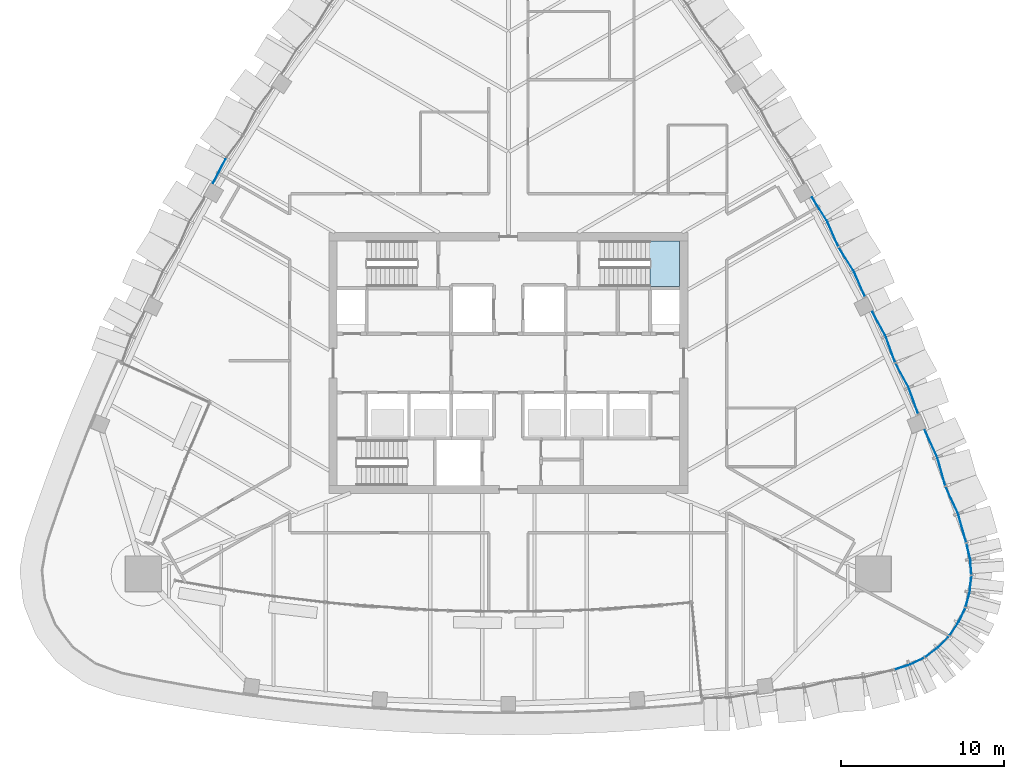
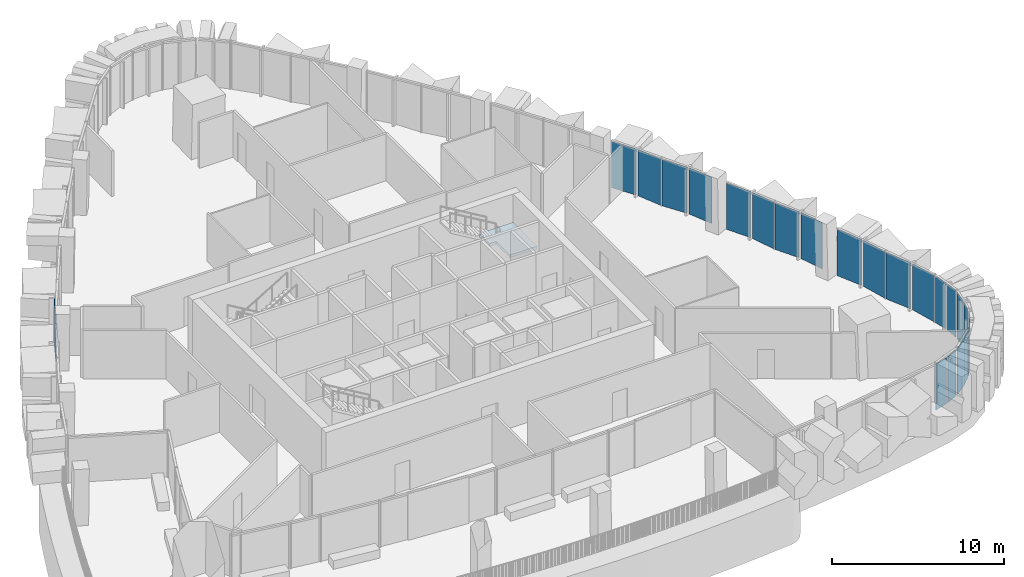
# One storey, part 10 of 22: 23 plates, 1 slab, 10 elements without a shape of their own.
"""IFC4 building model written with IfcOpenShell, lengths in metres."""

import ifcopenshell
import ifcopenshell.guid

model = None  # the IFC model being written
_history = None  # IfcOwnerHistory: only IFC2X3 demands one
_inside = {}  # id of a spatial element -> (the spatial element, [elements in it])
_under = {}  # id of a project, library or spatial element -> (it, [spatial elements below it])
_declared = {}  # id of a project -> (the project, [libraries it declares])
_typed = {}  # id of a type object -> (the type object, [elements of that type])
_made_of = {}  # id of a material, layer set ... -> (it, [elements and type objects made of it])


def new_model(schema):
    """Start an empty IFC model of exactly this schema.

    Asked for "IFC4X3", IfcOpenShell would pick the latest addendum, in which some entities
    have other attributes; the version numbers below select the first issue.
    IFC2X3 requires an IfcOwnerHistory on every rooted entity: one is made here for all.
    """
    global model, _history
    if schema == "IFC4X3":
        model = ifcopenshell.file(schema_version=(4, 3, 0, 0))
    else:
        model = ifcopenshell.file(schema=schema)
    _inside.clear()
    _under.clear()
    _declared.clear()
    _typed.clear()
    _made_of.clear()
    _history = None
    if model.schema == "IFC2X3":
        org = make("IfcOrganization", Name="unknown")
        user = make(
            "IfcPersonAndOrganization",
            ThePerson=make("IfcPerson", FamilyName="unknown"),
            TheOrganization=org,
        )
        app = make(
            "IfcApplication",
            ApplicationDeveloper=org,
            Version="unknown",
            ApplicationFullName="unknown",
            ApplicationIdentifier="unknown",
        )
        _history = make(
            "IfcOwnerHistory",
            OwningUser=user,
            OwningApplication=app,
            ChangeAction="ADDED",
            CreationDate=0,
        )
    return model


def make(cls, **values):
    """One entity of the class cls with the attributes given. An attribute that is None is left unset."""
    return model.create_entity(
        cls, **{name: value for name, value in values.items() if value is not None}
    )


def rooted(cls, **values):
    """An entity with a GlobalId (a new one), such as an element, a storey or a relation."""
    return make(cls, GlobalId=ifcopenshell.guid.new(), OwnerHistory=_history, **values)


def si_unit(unit_type, name, prefix=None):
    """IfcSIUnit, for example si_unit("LENGTHUNIT", "METRE", prefix="MILLI")."""
    return make("IfcSIUnit", UnitType=unit_type, Prefix=prefix, Name=name)


def assignment(units):
    """IfcUnitAssignment: the units of a project."""
    return None if units is None else make("IfcUnitAssignment", Units=units)


def point(xyz):
    """IfcCartesianPoint."""
    return None if xyz is None else make("IfcCartesianPoint", Coordinates=xyz)


def direction(xyz):
    """IfcDirection."""
    return None if xyz is None else make("IfcDirection", DirectionRatios=xyz)


def frame(location, z_axis=None, x_axis=None):
    """IfcAxis2Placement3D, a coordinate frame: its origin and axes. An axis left out is left unset."""
    return make(
        "IfcAxis2Placement3D",
        Location=point(location),
        Axis=direction(z_axis),
        RefDirection=direction(x_axis),
    )


def origin():
    """The frame at (0, 0, 0) with its axes left unset."""
    return frame((0.0, 0.0, 0.0))


def place(relative_to, where):
    """IfcLocalPlacement: puts the frame where relative to a parent placement (None: the world)."""
    return make(
        "IfcLocalPlacement", PlacementRelTo=relative_to, RelativePlacement=where
    )


def context(
    kind, dimensions, precision=None, world=None, true_north=None, identifier=None
):
    """IfcGeometricRepresentationContext, for example the 3D "Model" context."""
    return make(
        "IfcGeometricRepresentationContext",
        ContextIdentifier=identifier,
        ContextType=kind,
        CoordinateSpaceDimension=dimensions,
        Precision=precision,
        WorldCoordinateSystem=world,
        TrueNorth=true_north,
    )


def subcontext(parent, identifier, kind, view, scale=None):
    """IfcGeometricRepresentationSubContext, for example "Body" below "Model"."""
    return make(
        "IfcGeometricRepresentationSubContext",
        ContextIdentifier=identifier,
        ContextType=kind,
        ParentContext=parent,
        TargetScale=scale,
        TargetView=view,
    )


def project(units=None, contexts=None):
    """IfcProject with its units and contexts."""
    return rooted(
        "IfcProject",
        Name="project",
        RepresentationContexts=contexts,
        UnitsInContext=assignment(units),
    )


def spatial(cls, under=None, at=None, **own):
    """A site, building, storey or space (cls), placed at a placement, below another one or the project."""
    s = rooted(cls, ObjectPlacement=at, **own)
    if under is not None:
        _under.setdefault(under.id(), (under, []))[1].append(s)
    return s


def polyline(points):
    """IfcPolyline through the points."""
    return make("IfcPolyline", Points=[point(p) for p in points])


def outline(outer, holes=None, kind="AREA"):
    """IfcArbitraryClosedProfileDef: a profile drawn as a closed curve; with holes, ...WithVoids."""
    if holes is None:
        return make("IfcArbitraryClosedProfileDef", ProfileType=kind, OuterCurve=outer)
    return make(
        "IfcArbitraryProfileDefWithVoids",
        ProfileType=kind,
        OuterCurve=outer,
        InnerCurves=holes,
    )


def extrude(swept, where, along, depth):
    """IfcExtrudedAreaSolid: the profile swept, set in the frame where, extruded along a direction by depth."""
    return make(
        "IfcExtrudedAreaSolid",
        SweptArea=swept,
        Position=where,
        ExtrudedDirection=direction(along),
        Depth=depth,
    )


def shape(context_of_items, identifier, shape_type, items):
    """IfcShapeRepresentation: the items that make up one representation, for example the "Body"."""
    return make(
        "IfcShapeRepresentation",
        ContextOfItems=context_of_items,
        RepresentationIdentifier=identifier,
        RepresentationType=shape_type,
        Items=items,
    )


def material(Name=None, Category=None):
    """IfcMaterial."""
    return make("IfcMaterial", Name=Name, Category=Category)


def layer(
    of_material, thickness, ventilated=None, Name=None, Category=None, Priority=None
):
    """IfcMaterialLayer: one layer of a wall or slab, of a material (None: an air gap)."""
    return make(
        "IfcMaterialLayer",
        Material=of_material,
        LayerThickness=thickness,
        IsVentilated=ventilated,
        Name=Name,
        Category=Category,
        Priority=Priority,
    )


def layer_set(layers, Name=None):
    """IfcMaterialLayerSet."""
    return make("IfcMaterialLayerSet", MaterialLayers=layers, LayerSetName=Name)


def made_of(thing, what):
    """Note that an element or type object is made of a material, layer set ...; save() writes the relation."""
    if what is not None:
        _made_of.setdefault(what.id(), (what, []))[1].append(thing)
    return thing


def type_object(cls, material=None, **own):
    """A type object (cls), such as IfcWallType, which elements share."""
    return made_of(rooted(cls, **own), material)


def element(
    cls,
    number,
    at=None,
    inside=None,
    cuts=None,
    type_object=None,
    material=None,
    context=None,
    identifier="Body",
    shape_type=None,
    held_by="IfcProductDefinitionShape",
    body=None,
    shapes=None,
    **own,
):
    """One element of the class cls, such as IfcWall. Its Tag is "e" and its number.

    at: its placement. inside: the storey or other place that contains it. cuts: it is an
    opening in that element (IfcRelVoidsElement). A single representation is given by context,
    identifier, shape_type and body (its items); several are given by shapes. held_by: the class
    of the entity that holds the representations. save() writes the other relations.
    """
    e = rooted(cls, Tag="e%d" % number, ObjectPlacement=at, **own)
    if body is not None:
        shapes = [shape(context, identifier, shape_type, body)]
    if shapes is not None:
        e.Representation = make(held_by, Representations=shapes)
    if inside is not None:
        _inside.setdefault(inside.id(), (inside, []))[1].append(e)
    if cuts is not None:
        rooted(
            "IfcRelVoidsElement", RelatingBuildingElement=cuts, RelatedOpeningElement=e
        )
    if type_object is not None:
        _typed.setdefault(type_object.id(), (type_object, []))[1].append(e)
    return made_of(e, material)


def aggregate(whole, parts):
    """IfcRelAggregates: a whole, such as a stair, and the parts it consists of."""
    return rooted("IfcRelAggregates", RelatingObject=whole, RelatedObjects=parts)


def save(model, path):
    """Write the relations noted so far, then the file.

    IfcRelAggregates (storeys below a building ...), IfcRelContainedInSpatialStructure (elements
    in a storey), IfcRelDefinesByType, IfcRelAssociatesMaterial and IfcRelDeclares: one each for
    every whole, place, type object, material and project.
    """
    for whole, parts in _under.values():
        aggregate(whole, parts)
    for where, things in _inside.values():
        rooted(
            "IfcRelContainedInSpatialStructure",
            RelatedElements=things,
            RelatingStructure=where,
        )
    for kind, things in _typed.values():
        rooted("IfcRelDefinesByType", RelatedObjects=things, RelatingType=kind)
    for what, things in _made_of.values():
        rooted("IfcRelAssociatesMaterial", RelatedObjects=things, RelatingMaterial=what)
    for by, libraries in _declared.values():
        rooted("IfcRelDeclares", RelatingContext=by, RelatedDefinitions=libraries)
    model.write(path)


model = new_model("IFC4")

# Units and contexts
model_context = context("Model", 3, precision=1e-05, world=origin(), true_north=direction((0.0, 1.0)))
body_context = subcontext(model_context, "Body", "Model", "MODEL_VIEW")
ifc_project = project(units=[si_unit("LENGTHUNIT", "METRE"), si_unit("AREAUNIT", "SQUARE_METRE"), si_unit("VOLUMEUNIT", "CUBIC_METRE"), si_unit("PLANEANGLEUNIT", "RADIAN"), si_unit("MASSUNIT", "GRAM", prefix="KILO")], contexts=[model_context])

# Site, building, storey
site_placement = place(None, origin())
site = spatial("IfcSite", under=ifc_project, at=site_placement, CompositionType="ELEMENT")
building_placement = place(site_placement, origin())
building = spatial("IfcBuilding", under=site, at=building_placement, Name="Sierra Prisma Convention Tower", CompositionType="ELEMENT")
storey_placement = place(building_placement, frame((0.0, 0.0, 227.0)))
storey = spatial("IfcBuildingStorey", under=building, at=storey_placement, Name="L50", CompositionType="ELEMENT", Elevation=227.0)

# Curtain wall, plates
ifc_material_1 = material(Name="Aluminium and glass curtain wall", Category="aluminium")
ifc_layer_1 = layer(ifc_material_1, 0.179931640625)
ifc_layer_set_1 = layer_set([ifc_layer_1], Name="CW-2 Faceted crystal curtain wall")
curtain_wall_type = type_object("IfcCurtainWallType", Name="CW-2 Faceted crystal curtain wall", PredefinedType="NOTDEFINED", material=ifc_layer_set_1)
curtain_wall_1_placement = place(storey_placement, origin())
curtain_wall_1 = element("IfcCurtainWall", 1, at=curtain_wall_1_placement, inside=storey, type_object=curtain_wall_type, Name="CW-2 SE1 L50", PredefinedType="NOTDEFINED")
ifc_material_2 = material(Name="Tinted glass bronze-grey IGU", Category="glass")
ifc_layer_2 = layer(ifc_material_2, 0.028076171875)
ifc_layer_set_2 = layer_set([ifc_layer_2], Name="CW-2 crystal pane")
plate_type = type_object("IfcPlateType", Name="CW-2 crystal pane", PredefinedType="CURTAIN_PANEL", material=ifc_layer_set_2)
plate_1_placement = place(storey_placement, frame((23.68798828125, -18.791748046875, 0.0), z_axis=(0.290185334804, -0.956970465304, 0.0), x_axis=(0.956970465304, 0.290185334804, 0.0)))
plate_1 = element("IfcPlate", 2, at=plate_1_placement, type_object=plate_type, Name="CW-2 pane SE1.1.1", PredefinedType="CURTAIN_PANEL", context=body_context, shape_type="SweptSolid", body=[
    extrude(outline(polyline([(0.0, 0.0), (0.8758209328419331, 0.0), (0.8758209328419331, 3.2800292968749996), (0.0, 3.2800292968749996), (0.0, 0.0)])), origin(), (0.0, 0.0, -1.0), 0.028076171875),
])
plate_2_placement = place(storey_placement, frame((25.434814453125, -18.1083984375, 0.0), z_axis=(0.436252988313, -0.899824055128, 0.0), x_axis=(-0.899824055128, -0.436252988313, 0.0)))
plate_2 = element("IfcPlate", 3, at=plate_2_placement, type_object=plate_type, Name="CW-2 pane SE1.1.2", PredefinedType="CURTAIN_PANEL", context=body_context, shape_type="SweptSolid", body=[
    extrude(outline(polyline([(0.0, 0.0), (0.8758222599279262, 0.0), (0.8758222599279262, -3.280029296875), (0.0, -3.280029296875), (0.0, 0.0)])), origin(), (0.0, 0.0, -1.0), 0.028076171875),
])
aggregate(curtain_wall_1, [plate_1, plate_2])

curtain_wall_2_placement = place(storey_placement, origin())
curtain_wall_2 = element("IfcCurtainWall", 4, at=curtain_wall_2_placement, inside=storey, type_object=curtain_wall_type, Name="CW-2 SE2 L50", PredefinedType="NOTDEFINED")
plate_3_placement = place(storey_placement, frame((25.55322265625, -18.037353515625, 0.0), z_axis=(0.590456850931, -0.807069208426, 0.0), x_axis=(0.807069208426, 0.590456850931, 0.0)))
plate_3 = element("IfcPlate", 5, at=plate_3_placement, type_object=plate_type, Name="CW-2 pane SE2.1.1", PredefinedType="CURTAIN_PANEL", context=body_context, shape_type="SweptSolid", body=[
    extrude(outline(polyline([(0.0, 0.0), (0.8757453536776929, 0.0), (0.8757453536776929, 3.280029296875), (0.0, 3.280029296875), (0.0, 0.0)])), origin(), (0.0, 0.0, -1.0), 0.028076171875),
])
plate_4_placement = place(storey_placement, frame((26.9755859375, -16.814453125, 0.0), z_axis=(0.70947236499, -0.704733256854, 0.0), x_axis=(-0.704733256854, -0.70947236499, 0.0)))
plate_4 = element("IfcPlate", 6, at=plate_4_placement, type_object=plate_type, Name="CW-2 pane SE2.1.2", PredefinedType="CURTAIN_PANEL", context=body_context, shape_type="SweptSolid", body=[
    extrude(outline(polyline([(0.0, 0.0), (0.8757746196839541, 0.0), (0.8757746196839541, -3.280029296875), (0.0, -3.280029296875), (0.0, 0.0)])), origin(), (0.0, 0.0, -1.0), 0.028076171875),
])
aggregate(curtain_wall_2, [plate_3, plate_4])

curtain_wall_3_placement = place(storey_placement, origin())
curtain_wall_3 = element("IfcCurtainWall", 7, at=curtain_wall_3_placement, inside=storey, type_object=curtain_wall_type, Name="CW-2 SE3 L50", PredefinedType="NOTDEFINED")
plate_5_placement = place(storey_placement, frame((27.063720703125, -16.708251953125, 0.0), z_axis=(0.824074459529, -0.56648149586, 0.0), x_axis=(0.56648149586, 0.824074459529, 0.0)))
plate_5 = element("IfcPlate", 8, at=plate_5_placement, type_object=plate_type, Name="CW-2 pane SE3.1.1", PredefinedType="CURTAIN_PANEL", context=body_context, shape_type="SweptSolid", body=[
    extrude(outline(polyline([(0.0, 0.0), (0.8757457280165061, 0.0), (0.8757457280165061, 3.280029296875), (0.0, 3.280029296875), (0.0, 0.0)])), origin(), (0.0, 0.0, -1.0), 0.028076171875),
])
plate_6_placement = place(storey_placement, frame((28.001708984375, -15.083740234375, 0.0), z_axis=(0.902525357642, -0.430636713267, 0.0), x_axis=(-0.430636713267, -0.902525357642, 0.0)))
plate_6 = element("IfcPlate", 9, at=plate_6_placement, type_object=plate_type, Name="CW-2 pane SE3.1.2", PredefinedType="CURTAIN_PANEL", context=body_context, shape_type="SweptSolid", body=[
    extrude(outline(polyline([(0.0, 0.0), (0.8759059643657002, 0.0), (0.8759059643657002, -3.280029296875), (0.0, -3.280029296875), (0.0, 0.0)])), origin(), (0.0, 0.0, -1.0), 0.028076171875),
])
aggregate(curtain_wall_3, [plate_5, plate_6])

curtain_wall_4_placement = place(storey_placement, origin())
curtain_wall_4 = element("IfcCurtainWall", 10, at=curtain_wall_4_placement, inside=storey, type_object=curtain_wall_type, Name="CW-2 SE4 L50", PredefinedType="NOTDEFINED")
plate_7_placement = place(storey_placement, frame((28.049560546875, -14.954345703125, 0.0), z_axis=(0.965059123125, -0.262032228694, 0.0), x_axis=(0.262032228694, 0.965059123125, 0.0)))
plate_7 = element("IfcPlate", 11, at=plate_7_placement, type_object=plate_type, Name="CW-2 pane SE4.1.1", PredefinedType="CURTAIN_PANEL", context=body_context, shape_type="SweptSolid", body=[
    extrude(outline(polyline([(0.0, 0.0), (0.8758166453195967, 0.0), (0.8758166453195967, 3.280029296875), (0.0, 3.280029296875), (0.0, 0.0)])), origin(), (0.0, 0.0, -1.0), 0.028076171875),
])
plate_8_placement = place(storey_placement, frame((28.397216796875, -13.111083984375, 0.0), z_axis=(0.994192545073, -0.107615906449, 0.0), x_axis=(-0.107615906449, -0.994192545073, 0.0)))
plate_8 = element("IfcPlate", 12, at=plate_8_placement, type_object=plate_type, Name="CW-2 pane SE4.1.2", PredefinedType="CURTAIN_PANEL", context=body_context, shape_type="SweptSolid", body=[
    extrude(outline(polyline([(0.0, 0.0), (0.875691004790138, 0.0), (0.875691004790138, -3.280029296875), (0.0, -3.280029296875), (0.0, 0.0)])), origin(), (0.0, 0.0, -1.0), 0.028076171875),
])
aggregate(curtain_wall_4, [plate_7, plate_8])

curtain_wall_5_placement = place(storey_placement, origin())
curtain_wall_5 = element("IfcCurtainWall", 13, at=curtain_wall_5_placement, inside=storey, type_object=curtain_wall_type, Name="CW-2 SE5 L50", PredefinedType="NOTDEFINED")
plate_9_placement = place(storey_placement, frame((28.399658203125, -12.97314453125, 0.0), z_axis=(0.997410361209, 0.071920590607, 0.0), x_axis=(-0.071920590607, 0.997410361209, 0.0)))
plate_9 = element("IfcPlate", 14, at=plate_9_placement, type_object=plate_type, Name="CW-2 pane SE5.1.1", PredefinedType="CURTAIN_PANEL", context=body_context, shape_type="SweptSolid", body=[
    extrude(outline(polyline([(0.0, 0.0), (0.8758031701127492, 0.0), (0.8758031701127492, 3.280029296875), (0.0, 3.280029296875), (0.0, 0.0)])), origin(), (0.0, 0.0, -1.0), 0.028076171875),
])
plate_10_placement = place(storey_placement, frame((28.1181640625, -11.118408203125, 0.0), z_axis=(0.973857654482, 0.227159126618, 0.0), x_axis=(0.227159126618, -0.973857654482, 0.0)))
plate_10 = element("IfcPlate", 15, at=plate_10_placement, type_object=plate_type, Name="CW-2 pane SE5.1.2", PredefinedType="CURTAIN_PANEL", context=body_context, shape_type="SweptSolid", body=[
    extrude(outline(polyline([(0.0, 0.0), (0.875926106678591, 0.0), (0.875926106678591, -3.280029296875), (0.0, -3.280029296875), (0.0, 0.0)])), origin(), (0.0, 0.0, -1.0), 0.028076171875),
])
aggregate(curtain_wall_5, [plate_9, plate_10])

curtain_wall_6_placement = place(storey_placement, origin())
curtain_wall_6 = element("IfcCurtainWall", 16, at=curtain_wall_6_placement, inside=storey, type_object=curtain_wall_type, Name="CW-2 NE1 L50", PredefinedType="NOTDEFINED")
plate_11_placement = place(storey_placement, frame((28.083251953125, -10.983642578125, 0.0), z_axis=(0.962498050311, 0.271288597526, 0.0), x_axis=(-0.271288597526, 0.962498050311, 0.0)))
plate_11 = element("IfcPlate", 17, at=plate_11_placement, type_object=plate_type, Name="CW-2 pane NE1.1.1", PredefinedType="CURTAIN_PANEL", context=body_context, shape_type="SweptSolid", body=[
    extrude(outline(polyline([(0.0, 0.0), (1.757562407610556, 0.0), (1.757562407610556, 3.280029296875001), (0.0, 3.280029296875001), (0.0, 0.0)])), origin(), (0.0, 0.0, -1.0), 0.028076171875),
])
plate_12_placement = place(storey_placement, frame((26.825927734375, -7.57421875, 0.0), z_axis=(0.908199111064, 0.418538378959, 0.0), x_axis=(0.418538378959, -0.908199111064, 0.0)))
plate_12 = element("IfcPlate", 18, at=plate_12_placement, type_object=plate_type, Name="CW-2 pane NE1.1.2", PredefinedType="CURTAIN_PANEL", context=body_context, shape_type="SweptSolid", body=[
    extrude(outline(polyline([(0.0, 0.0), (1.757534649400209, 0.0), (1.757534649400209, -3.280029296875001), (0.0, -3.280029296875001), (0.0, 0.0)])), origin(), (0.0, 0.0, -1.0), 0.028076171875),
])
plate_13_placement = place(storey_placement, frame((26.801513671875, -7.508544921875, 0.0), z_axis=(0.962498050311, 0.271288597526, 0.0), x_axis=(-0.271288597526, 0.962498050311, 0.0)))
plate_13 = element("IfcPlate", 19, at=plate_13_placement, type_object=plate_type, Name="CW-2 pane NE1.2.1", PredefinedType="CURTAIN_PANEL", context=body_context, shape_type="SweptSolid", body=[
    extrude(outline(polyline([(0.0, 0.0), (1.757562407610556, 0.0), (1.757562407610556, 3.280029296875001), (0.0, 3.280029296875001), (0.0, 0.0)])), origin(), (0.0, 0.0, -1.0), 0.028076171875),
])
plate_14_placement = place(storey_placement, frame((25.544189453125, -4.09912109375, 0.0), z_axis=(0.908199111064, 0.418538378959, 0.0), x_axis=(0.418538378959, -0.908199111064, 0.0)))
plate_14 = element("IfcPlate", 20, at=plate_14_placement, type_object=plate_type, Name="CW-2 pane NE1.2.2", PredefinedType="CURTAIN_PANEL", context=body_context, shape_type="SweptSolid", body=[
    extrude(outline(polyline([(0.0, 0.0), (1.757534649400209, 0.0), (1.757534649400209, -3.280029296875001), (0.0, -3.280029296875001), (0.0, 0.0)])), origin(), (0.0, 0.0, -1.0), 0.028076171875),
])
aggregate(curtain_wall_6, [plate_11, plate_12, plate_13, plate_14])

curtain_wall_7_placement = place(storey_placement, origin())
curtain_wall_7 = element("IfcCurtainWall", 21, at=curtain_wall_7_placement, inside=storey, type_object=curtain_wall_type, Name="CW-2 NE2 L50", PredefinedType="NOTDEFINED")
plate_15_placement = place(storey_placement, frame((25.133544921875, -3.0966796875, 0.0), z_axis=(0.941775716965, 0.336241726939, 0.0), x_axis=(-0.336241726939, 0.941775716965, 0.0)))
plate_15 = element("IfcPlate", 22, at=plate_15_placement, type_object=plate_type, Name="CW-2 pane NE2.1.1", PredefinedType="CURTAIN_PANEL", context=body_context, shape_type="SweptSolid", body=[
    extrude(outline(polyline([(0.0, 0.0), (1.633694935040685, 0.0), (1.633694935040685, 3.280029296875), (0.0, 3.280029296875), (0.0, 0.0)])), origin(), (0.0, 0.0, -1.0), 0.028076171875),
])
plate_16_placement = place(storey_placement, frame((23.747802734375, -0.006103515625, 0.0), z_axis=(0.877547009888, 0.479490610374, 0.0), x_axis=(0.479490610374, -0.877547009888, 0.0)))
plate_16 = element("IfcPlate", 23, at=plate_16_placement, type_object=plate_type, Name="CW-2 pane NE2.1.2", PredefinedType="CURTAIN_PANEL", context=body_context, shape_type="SweptSolid", body=[
    extrude(outline(polyline([(0.0, 0.0), (1.6339157611722945, 0.0), (1.6339157611722945, -3.280029296875), (0.0, -3.280029296875), (0.0, 0.0)])), origin(), (0.0, 0.0, -1.0), 0.028076171875),
])
plate_17_placement = place(storey_placement, frame((23.71923828125, 0.0576171875, 0.0), z_axis=(0.941775716965, 0.336241726939, 0.0), x_axis=(-0.336241726939, 0.941775716965, 0.0)))
plate_17 = element("IfcPlate", 24, at=plate_17_placement, type_object=plate_type, Name="CW-2 pane NE2.2.1", PredefinedType="CURTAIN_PANEL", context=body_context, shape_type="SweptSolid", body=[
    extrude(outline(polyline([(0.0, 0.0), (1.633694935040685, 0.0), (1.633694935040685, 3.280029296875), (0.0, 3.280029296875), (0.0, 0.0)])), origin(), (0.0, 0.0, -1.0), 0.028076171875),
])
plate_18_placement = place(storey_placement, frame((22.333740234375, 3.148193359375, 0.0), z_axis=(0.877575533172, 0.479438404362, 0.0), x_axis=(0.479438404362, -0.877575533172, 0.0)))
plate_18 = element("IfcPlate", 25, at=plate_18_placement, type_object=plate_type, Name="CW-2 pane NE2.2.2", PredefinedType="CURTAIN_PANEL", context=body_context, shape_type="SweptSolid", body=[
    extrude(outline(polyline([(0.0, 0.0), (1.6335844560502002, 0.0), (1.6335844560502002, -3.280029296875), (0.0, -3.280029296875), (0.0, 0.0)])), origin(), (0.0, 0.0, -1.0), 0.028076171875),
])
aggregate(curtain_wall_7, [plate_15, plate_16, plate_17, plate_18])

curtain_wall_8_placement = place(storey_placement, origin())
curtain_wall_8 = element("IfcCurtainWall", 26, at=curtain_wall_8_placement, inside=storey, type_object=curtain_wall_type, Name="CW-2 NE3 L50", PredefinedType="NOTDEFINED")
plate_19_placement = place(storey_placement, frame((21.870849609375, 4.09228515625, 0.0), z_axis=(0.916688980641, 0.399601442405, 0.0), x_axis=(-0.399601442405, 0.916688980641, 0.0)))
plate_19 = element("IfcPlate", 27, at=plate_19_placement, type_object=plate_type, Name="CW-2 pane NE3.1.1", PredefinedType="CURTAIN_PANEL", context=body_context, shape_type="SweptSolid", body=[
    extrude(outline(polyline([(0.0, 0.0), (1.6416503790065173, 0.0), (1.6416503790065173, 3.280029296875), (0.0, 3.280029296875), (0.0, 0.0)])), origin(), (0.0, 0.0, -1.0), 0.028076171875),
])
plate_20_placement = place(storey_placement, frame((20.270751953125, 7.095458984375, 0.0), z_axis=(0.842981044495, 0.537943267103, 0.0), x_axis=(0.537943267103, -0.842981044495, 0.0)))
plate_20 = element("IfcPlate", 28, at=plate_20_placement, type_object=plate_type, Name="CW-2 pane NE3.1.2", PredefinedType="CURTAIN_PANEL", context=body_context, shape_type="SweptSolid", body=[
    extrude(outline(polyline([(0.0, 0.0), (1.6415423235623683, 0.0), (1.6415423235623683, -3.280029296875), (0.0, -3.280029296875), (0.0, 0.0)])), origin(), (0.0, 0.0, -1.0), 0.028076171875),
])
plate_21_placement = place(storey_placement, frame((20.23779296875, 7.1572265625, 0.0), z_axis=(0.916688980641, 0.399601442405, 0.0), x_axis=(-0.399601442405, 0.916688980641, 0.0)))
plate_21 = element("IfcPlate", 29, at=plate_21_placement, type_object=plate_type, Name="CW-2 pane NE3.2.1", PredefinedType="CURTAIN_PANEL", context=body_context, shape_type="SweptSolid", body=[
    extrude(outline(polyline([(0.0, 0.0), (1.6416503790065173, 0.0), (1.6416503790065173, 3.280029296875), (0.0, 3.280029296875), (0.0, 0.0)])), origin(), (0.0, 0.0, -1.0), 0.028076171875),
])
plate_22_placement = place(storey_placement, frame((18.6376953125, 10.160400390625, 0.0), z_axis=(0.842913599433, 0.53804894191, 0.0), x_axis=(0.53804894191, -0.842913599433, 0.0)))
plate_22 = element("IfcPlate", 30, at=plate_22_placement, type_object=plate_type, Name="CW-2 pane NE3.2.2", PredefinedType="CURTAIN_PANEL", context=body_context, shape_type="SweptSolid", body=[
    extrude(outline(polyline([(0.0, 0.0), (1.6416736702680863, 0.0), (1.6416736702680863, -3.280029296875), (0.0, -3.280029296875), (0.0, 0.0)])), origin(), (0.0, 0.0, -1.0), 0.028076171875),
])
aggregate(curtain_wall_8, [plate_19, plate_20, plate_21, plate_22])

# Curtain wall, plate
curtain_wall_9_placement = place(storey_placement, origin())
curtain_wall_9 = element("IfcCurtainWall", 31, at=curtain_wall_9_placement, inside=storey, type_object=curtain_wall_type, Name="CW-2 NW3 L50", PredefinedType="NOTDEFINED")
plate_23_placement = place(storey_placement, frame((-18.117919921875, 11.060546875, 0.0), z_axis=(-0.887389616855, 0.461020246732, 0.0), x_axis=(0.461020246732, 0.887389616855, 0.0)))
plate_23 = element("IfcPlate", 32, at=plate_23_placement, type_object=plate_type, Name="CW-2 pane NW3.2.2", PredefinedType="CURTAIN_PANEL", context=body_context, shape_type="SweptSolid", body=[
    extrude(outline(polyline([(0.0, 0.0), (1.6416544454703834, 0.0), (1.6416544454703834, -3.280029296875), (0.0, -3.280029296875), (0.0, 0.0)])), origin(), (0.0, 0.0, -1.0), 0.028076171875),
])
aggregate(curtain_wall_9, [plate_23])

# Stair, slab
ifc_material_3 = material(Name="Concrete C30/37", Category="concrete")
stair_type = type_object("IfcStairType", Name="Stair dog-leg 1200 RC", PredefinedType="HALF_TURN_STAIR", material=ifc_material_3)
stair_placement = place(storey_placement, origin())
stair = element("IfcStair", 33, at=stair_placement, inside=storey, type_object=stair_type, Name="L50 S4", PredefinedType="HALF_TURN_STAIR")
ifc_material_4 = material(Name="Concrete C35/45", Category="concrete")
ifc_layer_3 = layer(ifc_material_4, 0.199951171875)
ifc_layer_set_3 = layer_set([ifc_layer_3], Name="Stair landing slab")
slab_type = type_object("IfcSlabType", Name="Stair landing slab", PredefinedType="LANDING", material=ifc_layer_set_3)
slab_placement = place(storey_placement, frame((0.0, 0.0, 1.800048828125)))
slab = element("IfcSlab", 34, at=slab_placement, type_object=slab_type, Name="S4 landing 1", PredefinedType="LANDING", context=body_context, shape_type="SweptSolid", body=[
    extrude(outline(polyline([(10.5, 7.5), (10.5, 4.699951171875), (8.677978515625, 4.699951171875), (8.677978515625, 6.300048828125), (8.22998046875, 6.300048828125), (8.22998046875, 7.5), (10.5, 7.5)])), origin(), (0.0, 0.0, 1.0), 0.199951171875),
])
aggregate(stair, [slab])

save(model, "model.ifc")
